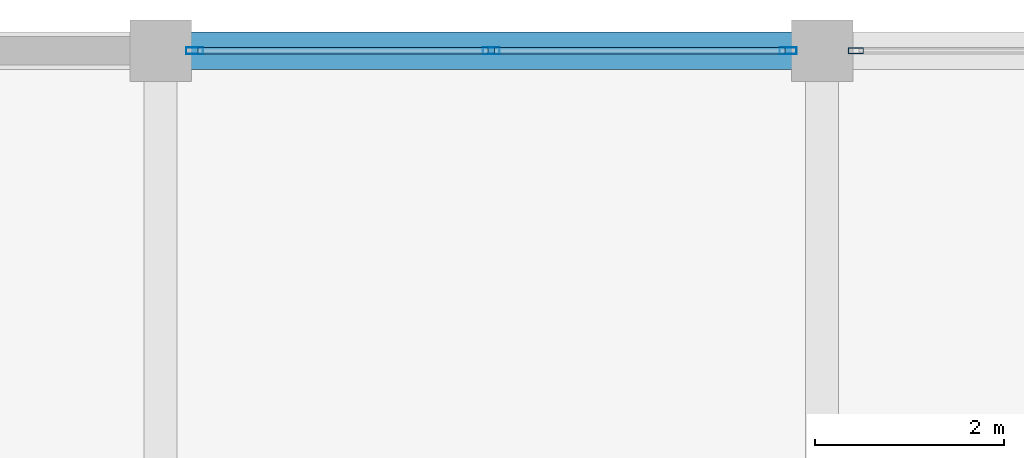
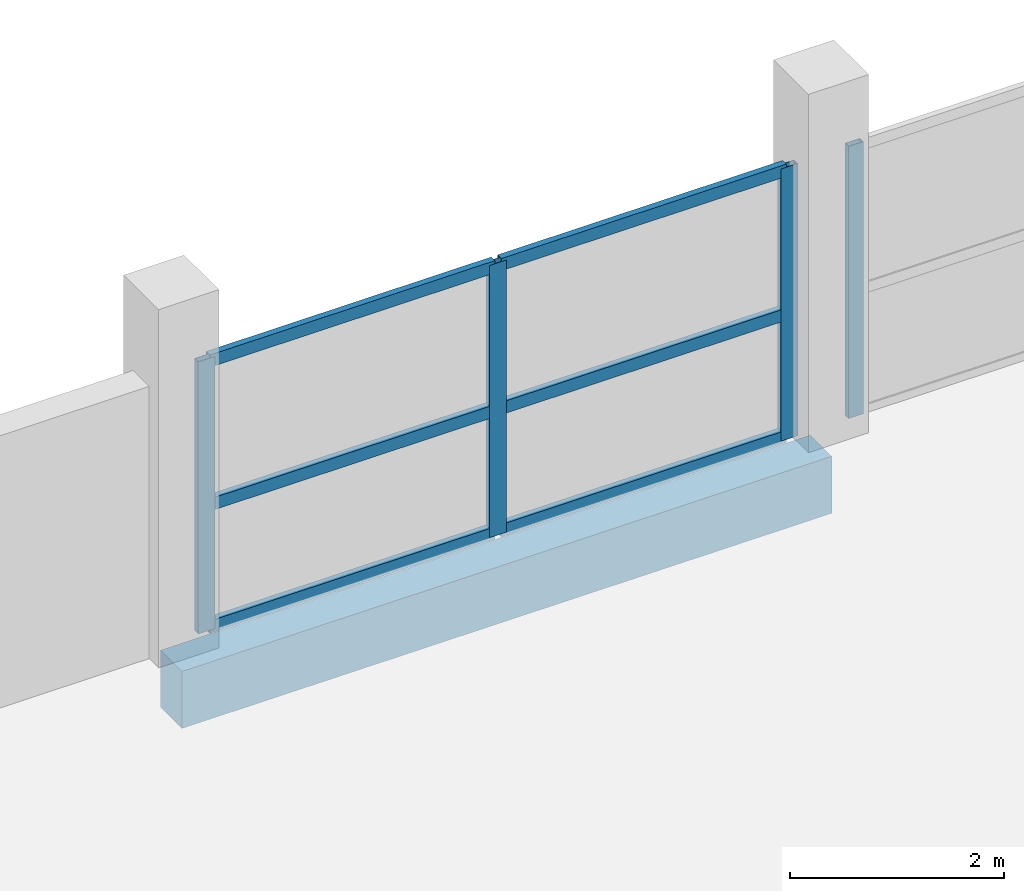
# One storey, part 44 of 66: 10 members, 1 beam, 2 elements without a shape of their own.
"""IFC4 building model written with IfcOpenShell, lengths in metres."""

from ifc_helpers import new_model, si_unit, direction, frame, origin, origin_2d, place, context, subcontext, project, spatial, rectangle, hollow_rectangle, extrude, material, layer, layer_set, material_profile, profile_set, type_object, element, aggregate, save


model = new_model("IFC4")

# Units and contexts
model_context = context("Model", 3, precision=1e-05, world=origin(), true_north=direction((0.0, 1.0)))
body_context = subcontext(model_context, "Body", "Model", "MODEL_VIEW")
ifc_project = project(units=[si_unit("LENGTHUNIT", "METRE"), si_unit("AREAUNIT", "SQUARE_METRE"), si_unit("VOLUMEUNIT", "CUBIC_METRE"), si_unit("PLANEANGLEUNIT", "RADIAN"), si_unit("MASSUNIT", "GRAM", prefix="KILO")], contexts=[model_context])

# Site, building, storey
site_placement = place(None, origin())
site = spatial("IfcSite", under=ifc_project, at=site_placement, CompositionType="ELEMENT")
building_placement = place(site_placement, origin())
building = spatial("IfcBuilding", under=site, at=building_placement, Name="Sillaruma Civic Art Gallery", CompositionType="ELEMENT")
storey_placement = place(building_placement, frame((0.0, 0.0, 62.219970703125)))
storey = spatial("IfcBuildingStorey", under=building, at=storey_placement, Name="L12", CompositionType="ELEMENT", Elevation=62.219970703125)

# Beam
ifc_material_1 = material(Name="Concrete H35 (35 MPa)", Category="concrete")
ifc_material_profile_1 = material_profile(ifc_material_1, rectangle(XDim=0.39990234375, YDim=0.64990234375, at=origin_2d()), Name="RCB400x650")
ifc_profile_set_1 = profile_set([ifc_material_profile_1], Name="Concrete H35 (35 MPa)")
beam_type = type_object("IfcBeamType", Name="BM-SPANDREL-RCB400x650", PredefinedType="SPANDREL", material=ifc_profile_set_1)
beam_placement = place(storey_placement, frame((70.0, 99.0, -0.554931640625), z_axis=(1.0, 0.0, 0.0), x_axis=(0.0, 1.0, 0.0)))
element("IfcBeam", 1, at=beam_placement, inside=storey, type_object=beam_type, Name="Beam BS-02 (L11:11:G-H)", PredefinedType="SPANDREL", context=body_context, shape_type="SweptSolid", body=[
    extrude(rectangle(XDim=0.39990234375, YDim=0.64990234375, at=origin_2d()), origin(), (0.0, 0.0, 1.0), 7.0),
])

# Curtain wall, member
ifc_material_2 = material(Name="Thermally Broken Extruded Aluminium 6063-T6", Category="aluminium")
ifc_layer_1 = layer(ifc_material_2, 0.159912109375, Name="Thermally Broken Extruded Aluminium 6063-T6")
ifc_layer_set_1 = layer_set([ifc_layer_1], Name="Thermally Broken Extruded Aluminium 6063-T6")
curtain_wall_type_1 = type_object("IfcCurtainWallType", Name="CW-UNI-96", PredefinedType="NOTDEFINED", material=ifc_layer_set_1)
curtain_wall_1_placement = place(storey_placement, origin())
curtain_wall_1 = element("IfcCurtainWall", 2, at=curtain_wall_1_placement, inside=storey, type_object=curtain_wall_type_1, Name="Unitised Curtain Wall CW-96 (CW-L12-WBN-3)", PredefinedType="NOTDEFINED")
ifc_material_profile_2 = material_profile(ifc_material_2, hollow_rectangle(XDim=0.06494140625, YDim=0.159912109375, WallThickness=0.00390625, at=origin_2d()), Name="CWM65x160")
ifc_profile_set_2 = profile_set([ifc_material_profile_2], Name="Thermally Broken Extruded Aluminium 6063-T6")
member_type_1 = type_object("IfcMemberType", Name="MEM-MUL-CWM65x160", PredefinedType="MULLION", material=ifc_profile_set_2)
member_1_placement = place(storey_placement, frame((77.357421875, 99.0, 0.0), z_axis=(0.0, 0.0, 1.0), x_axis=(0.0, 1.0, 0.0)))
member_1 = element("IfcMember", 3, at=member_1_placement, type_object=member_type_1, Name="CW-96 mullion 1", PredefinedType="MULLION", context=body_context, shape_type="SweptSolid", body=[
    extrude(hollow_rectangle(XDim=0.06494140625, YDim=0.159912109375, WallThickness=0.00390625, at=origin_2d()), origin(), (0.0, 0.0, 1.0), 3.10009765625),
])
aggregate(curtain_wall_1, [member_1])

# Curtain wall, members
ifc_layer_2 = layer(ifc_material_2, 0.179931640625, Name="Thermally Broken Extruded Aluminium 6063-T6")
ifc_layer_set_2 = layer_set([ifc_layer_2], Name="Thermally Broken Extruded Aluminium 6063-T6")
curtain_wall_type_2 = type_object("IfcCurtainWallType", Name="CW-UNI-95", PredefinedType="NOTDEFINED", material=ifc_layer_set_2)
curtain_wall_2_placement = place(storey_placement, origin())
curtain_wall_2 = element("IfcCurtainWall", 4, at=curtain_wall_2_placement, inside=storey, type_object=curtain_wall_type_2, Name="Unitised Curtain Wall CW-95 (CW-L12-WBN-2)", PredefinedType="NOTDEFINED")
ifc_material_profile_3 = material_profile(ifc_material_2, hollow_rectangle(XDim=0.070068359375, YDim=0.179931640625, WallThickness=0.00390625, at=origin_2d()), Name="CWM70x180")
ifc_profile_set_3 = profile_set([ifc_material_profile_3], Name="Thermally Broken Extruded Aluminium 6063-T6")
member_type_2 = type_object("IfcMemberType", Name="MEM-MUL-CWM70x180", PredefinedType="MULLION", material=ifc_profile_set_3)
member_2_placement = place(storey_placement, frame((70.360107421875, 99.0, 0.0), z_axis=(0.0, 0.0, 1.0), x_axis=(0.0, 1.0, 0.0)))
member_2 = element("IfcMember", 5, at=member_2_placement, type_object=member_type_2, Name="CW-95 mullion 1", PredefinedType="MULLION", context=body_context, shape_type="SweptSolid", body=[
    extrude(hollow_rectangle(XDim=0.070068359375, YDim=0.179931640625, WallThickness=0.00390625, at=origin_2d()), origin(), (0.0, 0.0, 1.0), 3.10009765625),
])
member_3_placement = place(storey_placement, frame((73.5, 99.0, 0.0), z_axis=(0.0, 0.0, 1.0), x_axis=(0.0, 1.0, 0.0)))
member_3 = element("IfcMember", 6, at=member_3_placement, type_object=member_type_2, Name="CW-95 mullion 2", PredefinedType="MULLION", context=body_context, shape_type="SweptSolid", body=[
    extrude(hollow_rectangle(XDim=0.070068359375, YDim=0.179931640625, WallThickness=0.00390625, at=origin_2d()), origin(), (0.0, 0.0, 1.0), 3.10009765625),
])
member_4_placement = place(storey_placement, frame((76.639892578125, 99.0, 0.0), z_axis=(0.0, 0.0, 1.0), x_axis=(0.0, 1.0, 0.0)))
member_4 = element("IfcMember", 7, at=member_4_placement, type_object=member_type_2, Name="CW-95 mullion 3", PredefinedType="MULLION", context=body_context, shape_type="SweptSolid", body=[
    extrude(hollow_rectangle(XDim=0.070068359375, YDim=0.179931640625, WallThickness=0.00390625, at=origin_2d()), origin(), (0.0, 0.0, 1.0), 3.10009765625),
])
ifc_material_profile_4 = material_profile(ifc_material_2, hollow_rectangle(XDim=0.070068359375, YDim=0.139892578125, WallThickness=0.00390625, at=origin_2d()), Name="CWT70x140")
ifc_profile_set_4 = profile_set([ifc_material_profile_4], Name="Thermally Broken Extruded Aluminium 6063-T6")
member_type_3 = type_object("IfcMemberType", Name="MEM-TRN-CWT70x140", PredefinedType="USERDEFINED", material=ifc_profile_set_4)
member_5_placement = place(storey_placement, frame((70.39501953125, 99.0, 0.034912109375), z_axis=(1.0, 0.0, 0.0), x_axis=(0.0, 1.0, 0.0)))
member_5 = element("IfcMember", 8, at=member_5_placement, type_object=member_type_3, Name="CW-95 transom 1.1", ObjectType="TRANSOM", PredefinedType="USERDEFINED", context=body_context, shape_type="SweptSolid", body=[
    extrude(hollow_rectangle(XDim=0.070068359375, YDim=0.139892578125, WallThickness=0.00390625, at=origin_2d()), origin(), (0.0, 0.0, 1.0), 3.070068359375),
])
member_6_placement = place(storey_placement, frame((70.39501953125, 99.0, 1.426025390625), z_axis=(1.0, 0.0, 0.0), x_axis=(0.0, 1.0, 0.0)))
member_6 = element("IfcMember", 9, at=member_6_placement, type_object=member_type_3, Name="CW-95 transom 1.2", ObjectType="TRANSOM", PredefinedType="USERDEFINED", context=body_context, shape_type="SweptSolid", body=[
    extrude(hollow_rectangle(XDim=0.070068359375, YDim=0.139892578125, WallThickness=0.00390625, at=origin_2d()), origin(), (0.0, 0.0, 1.0), 3.070068359375),
])
member_7_placement = place(storey_placement, frame((70.39501953125, 99.0, 3.06494140625), z_axis=(1.0, 0.0, 0.0), x_axis=(0.0, 1.0, 0.0)))
member_7 = element("IfcMember", 10, at=member_7_placement, type_object=member_type_3, Name="CW-95 transom 1.3", ObjectType="TRANSOM", PredefinedType="USERDEFINED", context=body_context, shape_type="SweptSolid", body=[
    extrude(hollow_rectangle(XDim=0.070068359375, YDim=0.139892578125, WallThickness=0.00390625, at=origin_2d()), origin(), (0.0, 0.0, 1.0), 3.070068359375),
])
member_8_placement = place(storey_placement, frame((73.534912109375, 99.0, 0.034912109375), z_axis=(1.0, 0.0, 0.0), x_axis=(0.0, 1.0, 0.0)))
member_8 = element("IfcMember", 11, at=member_8_placement, type_object=member_type_3, Name="CW-95 transom 2.1", ObjectType="TRANSOM", PredefinedType="USERDEFINED", context=body_context, shape_type="SweptSolid", body=[
    extrude(hollow_rectangle(XDim=0.070068359375, YDim=0.139892578125, WallThickness=0.00390625, at=origin_2d()), origin(), (0.0, 0.0, 1.0), 3.070068359375),
])
member_9_placement = place(storey_placement, frame((73.534912109375, 99.0, 1.426025390625), z_axis=(1.0, 0.0, 0.0), x_axis=(0.0, 1.0, 0.0)))
member_9 = element("IfcMember", 12, at=member_9_placement, type_object=member_type_3, Name="CW-95 transom 2.2", ObjectType="TRANSOM", PredefinedType="USERDEFINED", context=body_context, shape_type="SweptSolid", body=[
    extrude(hollow_rectangle(XDim=0.070068359375, YDim=0.139892578125, WallThickness=0.00390625, at=origin_2d()), origin(), (0.0, 0.0, 1.0), 3.070068359375),
])
member_10_placement = place(storey_placement, frame((73.534912109375, 99.0, 3.06494140625), z_axis=(1.0, 0.0, 0.0), x_axis=(0.0, 1.0, 0.0)))
member_10 = element("IfcMember", 13, at=member_10_placement, type_object=member_type_3, Name="CW-95 transom 2.3", ObjectType="TRANSOM", PredefinedType="USERDEFINED", context=body_context, shape_type="SweptSolid", body=[
    extrude(hollow_rectangle(XDim=0.070068359375, YDim=0.139892578125, WallThickness=0.00390625, at=origin_2d()), origin(), (0.0, 0.0, 1.0), 3.070068359375),
])
aggregate(curtain_wall_2, [member_2, member_3, member_4, member_5, member_6, member_7, member_8, member_9, member_10])

save(model, "model.ifc")
